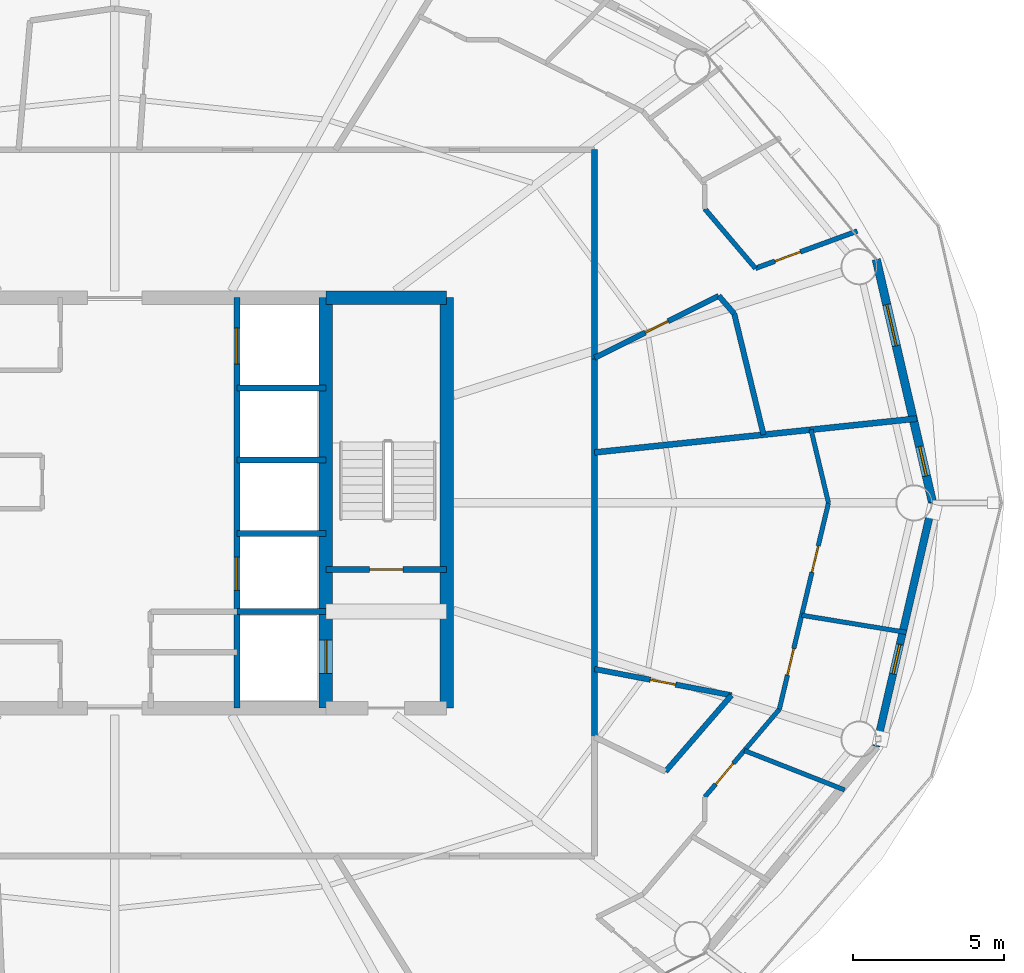
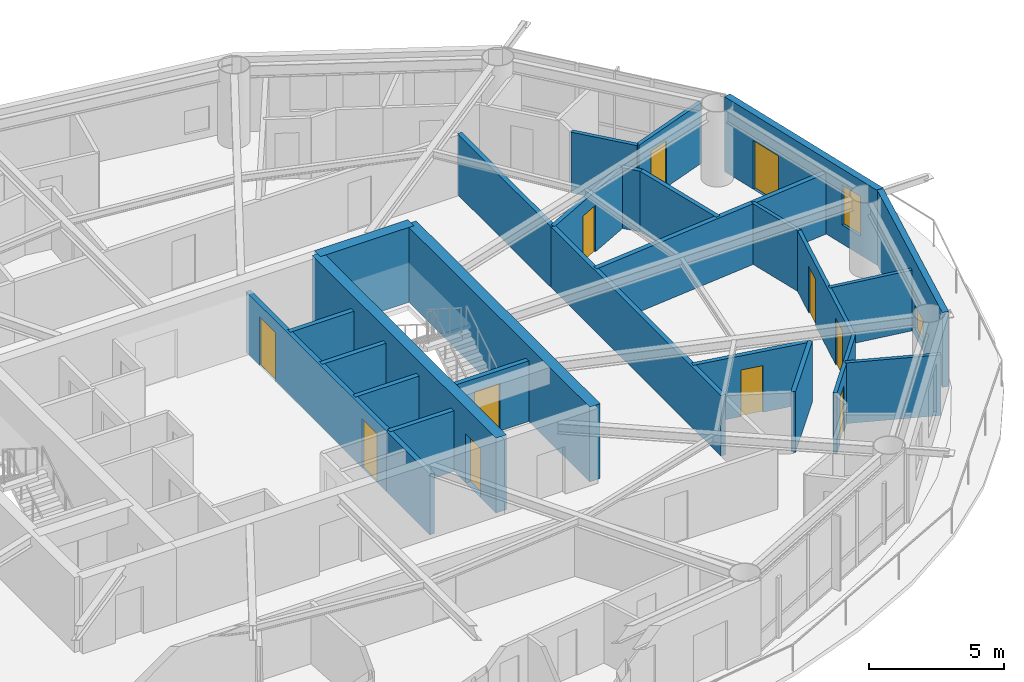
# One storey, part 22 of 27: 28 walls, 11 doors, 2 windows, 13 openings.
"""IFC4 building model written with IfcOpenShell, lengths in metres."""

import ifcopenshell
import ifcopenshell.guid

model = None  # the IFC model being written
_history = None  # IfcOwnerHistory: only IFC2X3 demands one
_inside = {}  # id of a spatial element -> (the spatial element, [elements in it])
_under = {}  # id of a project, library or spatial element -> (it, [spatial elements below it])
_declared = {}  # id of a project -> (the project, [libraries it declares])
_typed = {}  # id of a type object -> (the type object, [elements of that type])
_made_of = {}  # id of a material, layer set ... -> (it, [elements and type objects made of it])


def new_model(schema):
    """Start an empty IFC model of exactly this schema.

    Asked for "IFC4X3", IfcOpenShell would pick the latest addendum, in which some entities
    have other attributes; the version numbers below select the first issue.
    IFC2X3 requires an IfcOwnerHistory on every rooted entity: one is made here for all.
    """
    global model, _history
    if schema == "IFC4X3":
        model = ifcopenshell.file(schema_version=(4, 3, 0, 0))
    else:
        model = ifcopenshell.file(schema=schema)
    _inside.clear()
    _under.clear()
    _declared.clear()
    _typed.clear()
    _made_of.clear()
    _history = None
    if model.schema == "IFC2X3":
        org = make("IfcOrganization", Name="unknown")
        user = make(
            "IfcPersonAndOrganization",
            ThePerson=make("IfcPerson", FamilyName="unknown"),
            TheOrganization=org,
        )
        app = make(
            "IfcApplication",
            ApplicationDeveloper=org,
            Version="unknown",
            ApplicationFullName="unknown",
            ApplicationIdentifier="unknown",
        )
        _history = make(
            "IfcOwnerHistory",
            OwningUser=user,
            OwningApplication=app,
            ChangeAction="ADDED",
            CreationDate=0,
        )
    return model


def make(cls, **values):
    """One entity of the class cls with the attributes given. An attribute that is None is left unset."""
    return model.create_entity(
        cls, **{name: value for name, value in values.items() if value is not None}
    )


def rooted(cls, **values):
    """An entity with a GlobalId (a new one), such as an element, a storey or a relation."""
    return make(cls, GlobalId=ifcopenshell.guid.new(), OwnerHistory=_history, **values)


def si_unit(unit_type, name, prefix=None):
    """IfcSIUnit, for example si_unit("LENGTHUNIT", "METRE", prefix="MILLI")."""
    return make("IfcSIUnit", UnitType=unit_type, Prefix=prefix, Name=name)


def assignment(units):
    """IfcUnitAssignment: the units of a project."""
    return None if units is None else make("IfcUnitAssignment", Units=units)


def point(xyz):
    """IfcCartesianPoint."""
    return None if xyz is None else make("IfcCartesianPoint", Coordinates=xyz)


def direction(xyz):
    """IfcDirection."""
    return None if xyz is None else make("IfcDirection", DirectionRatios=xyz)


def frame(location, z_axis=None, x_axis=None):
    """IfcAxis2Placement3D, a coordinate frame: its origin and axes. An axis left out is left unset."""
    return make(
        "IfcAxis2Placement3D",
        Location=point(location),
        Axis=direction(z_axis),
        RefDirection=direction(x_axis),
    )


def frame_2d(location, x_axis=None):
    """IfcAxis2Placement2D, a coordinate frame in the plane: its origin and x axis."""
    return make(
        "IfcAxis2Placement2D", Location=point(location), RefDirection=direction(x_axis)
    )


def origin():
    """The frame at (0, 0, 0) with its axes left unset."""
    return frame((0.0, 0.0, 0.0))


def place(relative_to, where):
    """IfcLocalPlacement: puts the frame where relative to a parent placement (None: the world)."""
    return make(
        "IfcLocalPlacement", PlacementRelTo=relative_to, RelativePlacement=where
    )


def context(
    kind, dimensions, precision=None, world=None, true_north=None, identifier=None
):
    """IfcGeometricRepresentationContext, for example the 3D "Model" context."""
    return make(
        "IfcGeometricRepresentationContext",
        ContextIdentifier=identifier,
        ContextType=kind,
        CoordinateSpaceDimension=dimensions,
        Precision=precision,
        WorldCoordinateSystem=world,
        TrueNorth=true_north,
    )


def subcontext(parent, identifier, kind, view, scale=None):
    """IfcGeometricRepresentationSubContext, for example "Body" below "Model"."""
    return make(
        "IfcGeometricRepresentationSubContext",
        ContextIdentifier=identifier,
        ContextType=kind,
        ParentContext=parent,
        TargetScale=scale,
        TargetView=view,
    )


def project(units=None, contexts=None):
    """IfcProject with its units and contexts."""
    return rooted(
        "IfcProject",
        Name="project",
        RepresentationContexts=contexts,
        UnitsInContext=assignment(units),
    )


def spatial(cls, under=None, at=None, **own):
    """A site, building, storey or space (cls), placed at a placement, below another one or the project."""
    s = rooted(cls, ObjectPlacement=at, **own)
    if under is not None:
        _under.setdefault(under.id(), (under, []))[1].append(s)
    return s


def profile(cls, at=None, kind="AREA", **sizes):
    """A parametric profile (cls). Its sizes go by their IFC names, for example OverallWidth=200.0."""
    return make(cls, ProfileType=kind, Position=at, **sizes)


def rectangle(**sizes):
    """IfcRectangleProfileDef."""
    return profile("IfcRectangleProfileDef", **sizes)


def extrude(swept, where, along, depth):
    """IfcExtrudedAreaSolid: the profile swept, set in the frame where, extruded along a direction by depth."""
    return make(
        "IfcExtrudedAreaSolid",
        SweptArea=swept,
        Position=where,
        ExtrudedDirection=direction(along),
        Depth=depth,
    )


def shape(context_of_items, identifier, shape_type, items):
    """IfcShapeRepresentation: the items that make up one representation, for example the "Body"."""
    return make(
        "IfcShapeRepresentation",
        ContextOfItems=context_of_items,
        RepresentationIdentifier=identifier,
        RepresentationType=shape_type,
        Items=items,
    )


def material(Name=None, Category=None):
    """IfcMaterial."""
    return make("IfcMaterial", Name=Name, Category=Category)


def layer(
    of_material, thickness, ventilated=None, Name=None, Category=None, Priority=None
):
    """IfcMaterialLayer: one layer of a wall or slab, of a material (None: an air gap)."""
    return make(
        "IfcMaterialLayer",
        Material=of_material,
        LayerThickness=thickness,
        IsVentilated=ventilated,
        Name=Name,
        Category=Category,
        Priority=Priority,
    )


def layer_set(layers, Name=None):
    """IfcMaterialLayerSet."""
    return make("IfcMaterialLayerSet", MaterialLayers=layers, LayerSetName=Name)


def made_of(thing, what):
    """Note that an element or type object is made of a material, layer set ...; save() writes the relation."""
    if what is not None:
        _made_of.setdefault(what.id(), (what, []))[1].append(thing)
    return thing


def type_object(cls, material=None, **own):
    """A type object (cls), such as IfcWallType, which elements share."""
    return made_of(rooted(cls, **own), material)


def element(
    cls,
    number,
    at=None,
    inside=None,
    cuts=None,
    type_object=None,
    material=None,
    context=None,
    identifier="Body",
    shape_type=None,
    held_by="IfcProductDefinitionShape",
    body=None,
    shapes=None,
    **own,
):
    """One element of the class cls, such as IfcWall. Its Tag is "e" and its number.

    at: its placement. inside: the storey or other place that contains it. cuts: it is an
    opening in that element (IfcRelVoidsElement). A single representation is given by context,
    identifier, shape_type and body (its items); several are given by shapes. held_by: the class
    of the entity that holds the representations. save() writes the other relations.
    """
    e = rooted(cls, Tag="e%d" % number, ObjectPlacement=at, **own)
    if body is not None:
        shapes = [shape(context, identifier, shape_type, body)]
    if shapes is not None:
        e.Representation = make(held_by, Representations=shapes)
    if inside is not None:
        _inside.setdefault(inside.id(), (inside, []))[1].append(e)
    if cuts is not None:
        rooted(
            "IfcRelVoidsElement", RelatingBuildingElement=cuts, RelatedOpeningElement=e
        )
    if type_object is not None:
        _typed.setdefault(type_object.id(), (type_object, []))[1].append(e)
    return made_of(e, material)


def fill(opening, filler):
    """IfcRelFillsElement: the door or window that sits in an opening."""
    return rooted(
        "IfcRelFillsElement",
        RelatingOpeningElement=opening,
        RelatedBuildingElement=filler,
    )


def aggregate(whole, parts):
    """IfcRelAggregates: a whole, such as a stair, and the parts it consists of."""
    return rooted("IfcRelAggregates", RelatingObject=whole, RelatedObjects=parts)


def save(model, path):
    """Write the relations noted so far, then the file.

    IfcRelAggregates (storeys below a building ...), IfcRelContainedInSpatialStructure (elements
    in a storey), IfcRelDefinesByType, IfcRelAssociatesMaterial and IfcRelDeclares: one each for
    every whole, place, type object, material and project.
    """
    for whole, parts in _under.values():
        aggregate(whole, parts)
    for where, things in _inside.values():
        rooted(
            "IfcRelContainedInSpatialStructure",
            RelatedElements=things,
            RelatingStructure=where,
        )
    for kind, things in _typed.values():
        rooted("IfcRelDefinesByType", RelatedObjects=things, RelatingType=kind)
    for what, things in _made_of.values():
        rooted("IfcRelAssociatesMaterial", RelatedObjects=things, RelatingMaterial=what)
    for by, libraries in _declared.values():
        rooted("IfcRelDeclares", RelatingContext=by, RelatedDefinitions=libraries)
    model.write(path)


model = new_model("IFC4")

# Units and contexts
model_context = context("Model", 3, precision=1e-05, world=origin(), true_north=direction((0.0, 1.0)))
body_context = subcontext(model_context, "Body", "Model", "MODEL_VIEW")
ifc_project = project(units=[si_unit("LENGTHUNIT", "METRE"), si_unit("AREAUNIT", "SQUARE_METRE"), si_unit("VOLUMEUNIT", "CUBIC_METRE"), si_unit("PLANEANGLEUNIT", "RADIAN"), si_unit("MASSUNIT", "GRAM", prefix="KILO")], contexts=[model_context])

# Site, building, storey
site_placement = place(None, origin())
site = spatial("IfcSite", under=ifc_project, at=site_placement, CompositionType="ELEMENT")
building_placement = place(site_placement, origin())
building = spatial("IfcBuilding", under=site, at=building_placement, Name="Sarneth Arch Tower", CompositionType="ELEMENT")
storey_placement = place(building_placement, frame((0.0, 0.0, 193.800048828125)))
storey = spatial("IfcBuildingStorey", under=building, at=storey_placement, Name="L49", CompositionType="ELEMENT", Elevation=193.800048828125)

# Walls
ifc_material_1 = material(Name="Concrete C50/60", Category="concrete")
ifc_layer_1 = layer(ifc_material_1, 0.449951171875)
ifc_layer_set_1 = layer_set([ifc_layer_1], Name="Concrete C50/60")
wall_type_1 = type_object("IfcWallType", Name="WALL-CORE-450", PredefinedType="SHEAR", material=ifc_layer_set_1)
wall_1_placement = place(storey_placement, frame((55.0, 48.800048828125, 0.0), z_axis=(0.0, 0.0, 1.0), x_axis=(1.0, 0.0, 0.0)))
element("IfcWall", 1, at=wall_1_placement, inside=storey, type_object=wall_type_1, Name="L49 Core shear wall N-E", PredefinedType="SHEAR", context=body_context, shape_type="SweptSolid", body=[
    extrude(rectangle(XDim=4.0, YDim=0.449951171875, at=frame_2d((2.0, 0.0))), origin(), (0.0, 0.0, 1.0), 3.3798828125),
])
wall_2_placement = place(storey_placement, frame((59.0, 35.199951171875, 0.0), z_axis=(0.0, 0.0, 1.0), x_axis=(0.0, 1.0, 0.0)))
element("IfcWall", 2, at=wall_2_placement, inside=storey, type_object=wall_type_1, Name="L49 Core shear wall E", PredefinedType="SHEAR", context=body_context, shape_type="SweptSolid", body=[
    extrude(rectangle(XDim=13.60009765625, YDim=0.449951171875, at=frame_2d((6.800048828125, 0.0))), origin(), (0.0, 0.0, 1.0), 3.3798828125),
])

# Wall, opening, door
wall_3_placement = place(storey_placement, frame((55.0, 35.199951171875, 0.0), z_axis=(0.0, 0.0, 1.0), x_axis=(0.0, 1.0, 0.0)))
wall_3 = element("IfcWall", 3, at=wall_3_placement, inside=storey, type_object=wall_type_1, Name="L49 Core shear wall WEB-E", PredefinedType="SHEAR", context=body_context, shape_type="SweptSolid", body=[
    extrude(rectangle(XDim=13.60009765625, YDim=0.449951171875, at=frame_2d((6.800048828125, 0.0))), origin(), (0.0, 0.0, 1.0), 3.3798828125),
])
opening_1_placement = place(wall_3_placement, frame((1.14990234375, 0.0, 0.0)))
opening_1 = element("IfcOpeningElement", 4, at=opening_1_placement, cuts=wall_3, Name="Opening LD-1", PredefinedType="OPENING", context=body_context, shape_type="SweptSolid", body=[
    extrude(rectangle(XDim=1.10009765625, YDim=2.199951171875, at=frame_2d((0.550048828125, 1.10009765625))), frame((0.0, 0.23486328125, 0.0), z_axis=(0.0, -1.0, 0.0), x_axis=(1.0, 0.0, 0.0)), (0.0, 0.0, 1.0), 0.469970703125),
])
ifc_material_2 = material(Name="Brushed Stainless Steel 304 lift landing door", Category="steel")
door_type_1 = type_object("IfcDoorType", Name="DR-LIFT-SLIDE-1100", OperationType="SLIDING_TO_LEFT", PredefinedType="DOOR", material=ifc_material_2)
door_1_placement = place(opening_1_placement, origin())
door_1 = element("IfcDoor", 5, at=door_1_placement, inside=storey, type_object=door_type_1, Name="L49 Firefighting lift landing door FL-2", OperationType="SLIDING_TO_RIGHT", OverallHeight=2.199951171875, OverallWidth=1.10009765625, PredefinedType="DOOR", context=body_context, shape_type="SweptSolid", body=[
    extrude(rectangle(XDim=1.10009765625, YDim=2.199951171875, at=frame_2d((0.550048828125, 1.10009765625))), frame((0.0, 0.02490234375, 0.0), z_axis=(0.0, -1.0, 0.0), x_axis=(1.0, 0.0, 0.0)), (0.0, 0.0, 1.0), 0.050048828125),
])
fill(opening_1, door_1)

# Walls
ifc_material_3 = material(Name="Double steel-stud corridor fire wall", Category="steel")
ifc_layer_2 = layer(ifc_material_3, 0.18994140625)
ifc_layer_set_2 = layer_set([ifc_layer_2], Name="Double steel-stud corridor fire wall")
wall_type_2 = type_object("IfcWallType", Name="WALL-CORR-190", PredefinedType="PARTITIONING", material=ifc_layer_set_2)
wall_4_placement = place(storey_placement, frame((63.89990234375, 46.841064453125, 0.0), z_axis=(0.0, 0.0, 1.0), x_axis=(0.0, -1.0, 0.0)))
element("IfcWall", 6, at=wall_4_placement, inside=storey, type_object=wall_type_2, Name="L49 Interior partition W-L49-TP-018", PredefinedType="PARTITIONING", context=body_context, shape_type="SweptSolid", body=[
    extrude(rectangle(XDim=12.631591796875, YDim=0.18994140625, at=frame_2d((6.31591796875, 0.0))), origin(), (0.0, 0.0, 1.0), 2.739990234375),
])
wall_5_placement = place(storey_placement, frame((63.89990234375, 53.699951171875, 0.0), z_axis=(0.0, 0.0, 1.0), x_axis=(0.0, -1.0, 0.0)))
element("IfcWall", 7, at=wall_5_placement, inside=storey, type_object=wall_type_2, Name="L49 Interior partition W-L49-TP-002", PredefinedType="PARTITIONING", context=body_context, shape_type="SweptSolid", body=[
    extrude(rectangle(XDim=6.9306640625, YDim=0.18994140625, at=frame_2d((3.46533203125, 0.0))), origin(), (0.0, 0.0, 1.0), 2.739990234375),
])

# Wall, opening, window
ifc_material_4 = material(Name="Extruded terracotta rainscreen on Concrete C40/50 backing", Category="masonry")
ifc_layer_3 = layer(ifc_material_4, 0.25)
ifc_layer_set_3 = layer_set([ifc_layer_3], Name="Extruded terracotta rainscreen on Concrete C40/50 backing")
wall_type_3 = type_object("IfcWallType", Name="WALL-EXT-SPAND-250", PredefinedType="SOLIDWALL", material=ifc_layer_set_3)
wall_6_placement = place(storey_placement, frame((73.232421875, 33.93310546875, 0.0), z_axis=(0.0, 0.0, 1.0), x_axis=(0.225473184558, 0.974249374157, 0.0)))
wall_6 = element("IfcWall", 8, at=wall_6_placement, inside=storey, type_object=wall_type_3, Name="L49 Terracotta perimeter wall 16", PredefinedType="SOLIDWALL", context=body_context, shape_type="SweptSolid", body=[
    extrude(rectangle(XDim=8.280029296875, YDim=0.25, at=frame_2d((4.14013671875, 0.0))), origin(), (0.0, 0.0, 1.0), 3.3798828125),
])
opening_2_placement = place(wall_6_placement, frame((2.468505859375, 0.0, 0.35009765625)))
opening_2 = element("IfcOpeningElement", 9, at=opening_2_placement, cuts=wall_6, Name="Opening W-14", PredefinedType="OPENING", context=body_context, shape_type="SweptSolid", body=[
    extrude(rectangle(XDim=1.0, YDim=1.050048828125, at=frame_2d((0.5, 0.52490234375))), frame((0.0, 0.135009765625, 0.0), z_axis=(0.0, -1.0, 0.0), x_axis=(1.0, 0.0, 0.0)), (0.0, 0.0, 1.0), 0.27001953125),
])
ifc_material_5 = material(Name="Thermally broken Aluminium 6063-T6 and low-e laminated IGU", Category="aluminium")
window_type_1 = type_object("IfcWindowType", Name="WIN-TWR-1000x1050", PartitioningType="SINGLE_PANEL", PredefinedType="WINDOW", material=ifc_material_5)
window_1_placement = place(opening_2_placement, origin())
window_1 = element("IfcWindow", 10, at=window_1_placement, inside=storey, type_object=window_type_1, Name="L49 Dwelling bedroom window 05", OverallHeight=1.050048828125, OverallWidth=1.0, PartitioningType="SINGLE_PANEL", PredefinedType="WINDOW", context=body_context, shape_type="SweptSolid", body=[
    extrude(rectangle(XDim=1.0, YDim=1.050048828125, at=frame_2d((0.5, 0.52490234375))), frame((0.0, 0.030029296875, 0.0), z_axis=(0.0, -1.0, 0.0), x_axis=(1.0, 0.0, 0.0)), (0.0, 0.0, 1.0), 0.06005859375),
])
fill(opening_2, window_1)

# Wall, openings, door, window
ifc_material_6 = material(Name="Extruded terracotta rainscreen on Concrete C40/50 backing", Category="masonry")
ifc_layer_4 = layer(ifc_material_6, 0.280029296875)
ifc_layer_set_4 = layer_set([ifc_layer_4], Name="Extruded terracotta rainscreen on Concrete C40/50 backing")
wall_type_4 = type_object("IfcWallType", Name="WALL-EXT-TERRA-280", PredefinedType="SOLIDWALL", material=ifc_layer_set_4)
wall_7_placement = place(storey_placement, frame((75.099365234375, 42.0, 0.0), z_axis=(0.0, 0.0, 1.0), x_axis=(-0.225473184558, 0.974249374157, 0.0)))
wall_7 = element("IfcWall", 11, at=wall_7_placement, inside=storey, type_object=wall_type_4, Name="L49 Terracotta perimeter wall 01", PredefinedType="SOLIDWALL", context=body_context, shape_type="SweptSolid", body=[
    extrude(rectangle(XDim=8.280029296875, YDim=0.280029296875, at=frame_2d((4.14013671875, 0.0))), origin(), (0.0, 0.0, 1.0), 3.3798828125),
])
opening_3_placement = place(wall_7_placement, frame((5.343994140625, 0.0, 0.0)))
opening_3 = element("IfcOpeningElement", 12, at=opening_3_placement, cuts=wall_7, Name="Opening BD-2", PredefinedType="OPENING", context=body_context, shape_type="SweptSolid", body=[
    extrude(rectangle(XDim=1.39990234375, YDim=2.199951171875, at=frame_2d((0.699951171875, 1.10009765625))), frame((0.0, 0.14990234375, 0.0), z_axis=(0.0, -1.0, 0.0), x_axis=(1.0, 0.0, 0.0)), (0.0, 0.0, 1.0), 0.300048828125),
])
opening_4_placement = place(wall_7_placement, frame((0.918212890625, 0.0, 0.85009765625)))
opening_4 = element("IfcOpeningElement", 13, at=opening_4_placement, cuts=wall_7, Name="Opening W-11", PredefinedType="OPENING", context=body_context, shape_type="SweptSolid", body=[
    extrude(rectangle(XDim=1.0, YDim=1.800048828125, at=frame_2d((0.5, 0.89990234375))), frame((0.0, 0.14990234375, 0.0), z_axis=(0.0, -1.0, 0.0), x_axis=(1.0, 0.0, 0.0)), (0.0, 0.0, 1.0), 0.300048828125),
])
ifc_material_7 = material(Name="Thermally broken Aluminium 6063-T6 and laminated safety glass", Category="aluminium")
door_type_2 = type_object("IfcDoorType", Name="DR-BALC-GLZ-1400", OperationType="SINGLE_SWING_LEFT", PredefinedType="DOOR", material=ifc_material_7)
door_2_placement = place(opening_3_placement, origin())
door_2 = element("IfcDoor", 14, at=door_2_placement, inside=storey, type_object=door_type_2, Name="L49 Balcony glazed door 01", OperationType="SINGLE_SWING_LEFT", OverallHeight=2.199951171875, OverallWidth=1.39990234375, PredefinedType="DOOR", context=body_context, shape_type="SweptSolid", body=[
    extrude(rectangle(XDim=1.39990234375, YDim=2.199951171875, at=frame_2d((0.699951171875, 1.10009765625))), frame((0.0, 0.02490234375, 0.0), z_axis=(0.0, -1.0, 0.0), x_axis=(1.0, 0.0, 0.0)), (0.0, 0.0, 1.0), 0.050048828125),
])
fill(opening_3, door_2)
ifc_material_8 = material(Name="Thermally broken Aluminium 6063-T6 and low-e laminated IGU", Category="aluminium")
window_type_2 = type_object("IfcWindowType", Name="WIN-TWR-1000x1800", PartitioningType="SINGLE_PANEL", PredefinedType="WINDOW", material=ifc_material_8)
window_2_placement = place(opening_4_placement, origin())
window_2 = element("IfcWindow", 15, at=window_2_placement, inside=storey, type_object=window_type_2, Name="L49 Dwelling bedroom window 06", OverallHeight=1.800048828125, OverallWidth=1.0, PartitioningType="SINGLE_PANEL", PredefinedType="WINDOW", context=body_context, shape_type="SweptSolid", body=[
    extrude(rectangle(XDim=1.0, YDim=1.800048828125, at=frame_2d((0.5, 0.89990234375))), frame((0.0, 0.030029296875, 0.0), z_axis=(0.0, -1.0, 0.0), x_axis=(1.0, 0.0, 0.0)), (0.0, 0.0, 1.0), 0.06005859375),
])
fill(opening_4, window_2)

# Wall, openings, doors
ifc_material_9 = material(Name="Acoustic gypsum stud partition", Category="gypsum")
ifc_layer_5 = layer(ifc_material_9, 0.14990234375)
ifc_layer_set_5 = layer_set([ifc_layer_5], Name="Acoustic gypsum stud partition")
wall_type_5 = type_object("IfcWallType", Name="WALL-PART-150", PredefinedType="PARTITIONING", material=ifc_layer_set_5)
wall_8_placement = place(storey_placement, frame((70.019287109375, 35.15771484375, 0.0), z_axis=(0.0, 0.0, 1.0), x_axis=(0.231658068135, 0.972797275627, 0.0)))
wall_8 = element("IfcWall", 16, at=wall_8_placement, inside=storey, type_object=wall_type_5, Name="L49 Interior partition W-L49-TP-119", PredefinedType="PARTITIONING", context=body_context, shape_type="SweptSolid", body=[
    extrude(rectangle(XDim=7.03369140625, YDim=0.14990234375, at=frame_2d((3.516845703125, 0.0))), origin(), (0.0, 0.0, 1.0), 2.739990234375),
])
opening_5_placement = place(wall_8_placement, frame((4.67041015625, 0.0, 0.0)))
opening_5 = element("IfcOpeningElement", 17, at=opening_5_placement, cuts=wall_8, Name="Opening ID-01", PredefinedType="OPENING", context=body_context, shape_type="SweptSolid", body=[
    extrude(rectangle(XDim=0.89990234375, YDim=2.10009765625, at=frame_2d((0.449951171875, 1.050048828125))), frame((0.0, 0.0849609375, 0.0), z_axis=(0.0, -1.0, 0.0), x_axis=(1.0, 0.0, 0.0)), (0.0, 0.0, 1.0), 0.169921875),
])
opening_6_placement = place(wall_8_placement, frame((1.169677734375, 0.0, 0.0)))
opening_6 = element("IfcOpeningElement", 18, at=opening_6_placement, cuts=wall_8, Name="Opening ID-01", PredefinedType="OPENING", context=body_context, shape_type="SweptSolid", body=[
    extrude(rectangle(XDim=0.89990234375, YDim=2.10009765625, at=frame_2d((0.449951171875, 1.050048828125))), frame((0.0, 0.0849609375, 0.0), z_axis=(0.0, -1.0, 0.0), x_axis=(1.0, 0.0, 0.0)), (0.0, 0.0, 1.0), 0.169921875),
])
ifc_material_10 = material(Name="Engineered hardwood flush door", Category="wood")
door_type_3 = type_object("IfcDoorType", Name="DR-INT-900", OperationType="SINGLE_SWING_LEFT", PredefinedType="DOOR", material=ifc_material_10)
door_3_placement = place(opening_5_placement, origin())
door_3 = element("IfcDoor", 19, at=door_3_placement, inside=storey, type_object=door_type_3, Name="L49 Interior door DR-L49-U6-BED2", OperationType="SINGLE_SWING_LEFT", OverallHeight=2.10009765625, OverallWidth=0.89990234375, PredefinedType="DOOR", context=body_context, shape_type="SweptSolid", body=[
    extrude(rectangle(XDim=0.89990234375, YDim=2.10009765625, at=frame_2d((0.449951171875, 1.050048828125))), frame((0.0, 0.02490234375, 0.0), z_axis=(0.0, -1.0, 0.0), x_axis=(1.0, 0.0, 0.0)), (0.0, 0.0, 1.0), 0.050048828125),
])
fill(opening_5, door_3)
door_4_placement = place(opening_6_placement, origin())
door_4 = element("IfcDoor", 20, at=door_4_placement, inside=storey, type_object=door_type_3, Name="L49 Interior door DR-L49-U6-BED1", OperationType="SINGLE_SWING_LEFT", OverallHeight=2.10009765625, OverallWidth=0.89990234375, PredefinedType="DOOR", context=body_context, shape_type="SweptSolid", body=[
    extrude(rectangle(XDim=0.89990234375, YDim=2.10009765625, at=frame_2d((0.449951171875, 1.050048828125))), frame((0.0, 0.02490234375, 0.0), z_axis=(0.0, -1.0, 0.0), x_axis=(1.0, 0.0, 0.0)), (0.0, 0.0, 1.0), 0.050048828125),
])
fill(opening_6, door_4)

# Walls
wall_9_placement = place(storey_placement, frame((72.186279296875, 32.489501953125, 0.0), z_axis=(0.0, 0.0, 1.0), x_axis=(-0.930633495056, 0.365952589662, 0.0)))
element("IfcWall", 21, at=wall_9_placement, inside=storey, type_object=wall_type_5, Name="L49 Interior partition W-L49-TP-122", PredefinedType="PARTITIONING", context=body_context, shape_type="SweptSolid", body=[
    extrude(rectangle(XDim=3.572509765625, YDim=0.14990234375, at=frame_2d((1.7861328125, 0.0))), origin(), (0.0, 0.0, 1.0), 2.739990234375),
])
wall_10_placement = place(storey_placement, frame((74.2294921875, 37.710693359375, 0.0), z_axis=(0.0, 0.0, 1.0), x_axis=(-0.98689451092, 0.161366738565, 0.0)))
element("IfcWall", 22, at=wall_10_placement, inside=storey, type_object=wall_type_5, Name="L49 Interior partition W-L49-TP-123", PredefinedType="PARTITIONING", context=body_context, shape_type="SweptSolid", body=[
    extrude(rectangle(XDim=3.51318359375, YDim=0.14990234375, at=frame_2d((1.756591796875, 0.0))), origin(), (0.0, 0.0, 1.0), 2.739990234375),
])
wall_11_placement = place(storey_placement, frame((71.648681640625, 42.0, 0.0), z_axis=(0.0, 0.0, 1.0), x_axis=(-0.231642596653, 0.972800959814, 0.0)))
element("IfcWall", 23, at=wall_11_placement, inside=storey, type_object=wall_type_5, Name="L49 Interior partition W-L49-TP-120", PredefinedType="PARTITIONING", context=body_context, shape_type="SweptSolid", body=[
    extrude(rectangle(XDim=2.49267578125, YDim=0.14990234375, at=frame_2d((1.246337890625, 0.0))), origin(), (0.0, 0.0, 1.0), 2.739990234375),
])

# Wall, opening, door
wall_12_placement = place(storey_placement, frame((67.550048828125, 32.255615234375, 0.0), z_axis=(0.0, 0.0, 1.0), x_axis=(0.648059335437, 0.761589848773, 0.0)))
wall_12 = element("IfcWall", 24, at=wall_12_placement, inside=storey, type_object=wall_type_5, Name="L49 Interior partition W-L49-TP-110", PredefinedType="PARTITIONING", context=body_context, shape_type="SweptSolid", body=[
    extrude(rectangle(XDim=3.810546875, YDim=0.14990234375, at=frame_2d((1.9052734375, 0.0))), origin(), (0.0, 0.0, 1.0), 2.739990234375),
])
opening_7_placement = place(wall_12_placement, frame((0.56201171875, 0.0, 0.0)))
opening_7 = element("IfcOpeningElement", 25, at=opening_7_placement, cuts=wall_12, Name="Opening ID-01", PredefinedType="OPENING", context=body_context, shape_type="SweptSolid", body=[
    extrude(rectangle(XDim=0.89990234375, YDim=2.10009765625, at=frame_2d((0.449951171875, 1.050048828125))), frame((0.0, 0.0849609375, 0.0), z_axis=(0.0, -1.0, 0.0), x_axis=(1.0, 0.0, 0.0)), (0.0, 0.0, 1.0), 0.169921875),
])
door_5_placement = place(opening_7_placement, origin())
door_5 = element("IfcDoor", 26, at=door_5_placement, inside=storey, type_object=door_type_3, Name="L49 Interior door DR-L49-U6-STD", OperationType="SINGLE_SWING_RIGHT", OverallHeight=2.10009765625, OverallWidth=0.89990234375, PredefinedType="DOOR", context=body_context, shape_type="SweptSolid", body=[
    extrude(rectangle(XDim=0.89990234375, YDim=2.10009765625, at=frame_2d((0.449951171875, 1.050048828125))), frame((0.0, 0.02490234375, 0.0), z_axis=(0.0, -1.0, 0.0), x_axis=(1.0, 0.0, 0.0)), (0.0, 0.0, 1.0), 0.050048828125),
])
fill(opening_7, door_5)

ifc_material_11 = material(Name="Kitchen wet service chase wall", Category="gypsum")
ifc_layer_6 = layer(ifc_material_11, 0.159912109375)
ifc_layer_set_6 = layer_set([ifc_layer_6], Name="Kitchen wet service chase wall")
wall_type_6 = type_object("IfcWallType", Name="WALL-PLUMB-160", PredefinedType="PLUMBINGWALL", material=ifc_layer_set_6)
wall_13_placement = place(storey_placement, frame((72.6025390625, 51.005859375, 0.0), z_axis=(0.0, 0.0, 1.0), x_axis=(-0.939057046145, -0.343761347572, 0.0)))
wall_13 = element("IfcWall", 27, at=wall_13_placement, inside=storey, type_object=wall_type_6, Name="L49 Interior partition W-L49-TP-020", PredefinedType="PLUMBINGWALL", context=body_context, shape_type="SweptSolid", body=[
    extrude(rectangle(XDim=3.59228515625, YDim=0.159912109375, at=frame_2d((1.796142578125, 0.0))), origin(), (0.0, 0.0, 1.0), 2.739990234375),
])
opening_8_placement = place(wall_13_placement, frame((2.006103515625, 0.0, 0.0)))
opening_8 = element("IfcOpeningElement", 28, at=opening_8_placement, cuts=wall_13, Name="Opening ID-01", PredefinedType="OPENING", context=body_context, shape_type="SweptSolid", body=[
    extrude(rectangle(XDim=0.89990234375, YDim=2.10009765625, at=frame_2d((0.449951171875, 1.050048828125))), frame((0.0, 0.08984375, 0.0), z_axis=(0.0, -1.0, 0.0), x_axis=(1.0, 0.0, 0.0)), (0.0, 0.0, 1.0), 0.179931640625),
])
door_6_placement = place(opening_8_placement, origin())
door_6 = element("IfcDoor", 29, at=door_6_placement, inside=storey, type_object=door_type_3, Name="L49 Interior door DR-L49-U1-KIT", OperationType="SINGLE_SWING_RIGHT", OverallHeight=2.10009765625, OverallWidth=0.89990234375, PredefinedType="DOOR", context=body_context, shape_type="SweptSolid", body=[
    extrude(rectangle(XDim=0.89990234375, YDim=2.10009765625, at=frame_2d((0.449951171875, 1.050048828125))), frame((0.0, 0.02490234375, 0.0), z_axis=(0.0, -1.0, 0.0), x_axis=(1.0, 0.0, 0.0)), (0.0, 0.0, 1.0), 0.050048828125),
])
fill(opening_8, door_6)

# Wall
wall_14_placement = place(storey_placement, frame((69.229248046875, 49.77099609375, 0.0), z_axis=(0.0, 0.0, 1.0), x_axis=(-0.648055845939, 0.761592818076, 0.0)))
element("IfcWall", 30, at=wall_14_placement, inside=storey, type_object=wall_type_6, Name="L49 Interior partition W-L49-TP-021", PredefinedType="PLUMBINGWALL", context=body_context, shape_type="SweptSolid", body=[
    extrude(rectangle(XDim=2.591064453125, YDim=0.159912109375, at=frame_2d((1.29541015625, 0.0))), origin(), (0.0, 0.0, 1.0), 2.739990234375),
])

# Wall, opening, door
ifc_material_12 = material(Name="Moisture-resistant plumbing chase wall", Category="gypsum")
ifc_layer_7 = layer(ifc_material_12, 0.179931640625)
ifc_layer_set_7 = layer_set([ifc_layer_7], Name="Moisture-resistant plumbing chase wall")
wall_type_7 = type_object("IfcWallType", Name="WALL-PLUMB-180", PredefinedType="PLUMBINGWALL", material=ifc_layer_set_7)
wall_15_placement = place(storey_placement, frame((68.434814453125, 35.626220703125, 0.0), z_axis=(0.0, 0.0, 1.0), x_axis=(-0.982105494501, 0.188331616227, 0.0)))
wall_15 = element("IfcWall", 31, at=wall_15_placement, inside=storey, type_object=wall_type_7, Name="L49 Interior partition W-L49-TP-116", PredefinedType="PLUMBINGWALL", context=body_context, shape_type="SweptSolid", body=[
    extrude(rectangle(XDim=4.617431640625, YDim=0.179931640625, at=frame_2d((2.30859375, 0.0))), origin(), (0.0, 0.0, 1.0), 2.739990234375),
])
opening_9_placement = place(wall_15_placement, frame((1.8837890625, 0.0, 0.0)))
opening_9 = element("IfcOpeningElement", 32, at=opening_9_placement, cuts=wall_15, Name="Opening ID-02", PredefinedType="OPENING", context=body_context, shape_type="SweptSolid", body=[
    extrude(rectangle(XDim=0.85009765625, YDim=2.10009765625, at=frame_2d((0.425048828125, 1.050048828125))), frame((0.0, 0.099853515625, 0.0), z_axis=(0.0, -1.0, 0.0), x_axis=(1.0, 0.0, 0.0)), (0.0, 0.0, 1.0), 0.199951171875),
])
ifc_material_13 = material(Name="Moisture-resistant bathroom timber door", Category="wood")
door_type_4 = type_object("IfcDoorType", Name="DR-INT-850", OperationType="SINGLE_SWING_RIGHT", PredefinedType="DOOR", material=ifc_material_13)
door_7_placement = place(opening_9_placement, origin())
door_7 = element("IfcDoor", 33, at=door_7_placement, inside=storey, type_object=door_type_4, Name="L49 Interior door DR-L49-U6-BATH", OperationType="SINGLE_SWING_RIGHT", OverallHeight=2.10009765625, OverallWidth=0.85009765625, PredefinedType="DOOR", context=body_context, shape_type="SweptSolid", body=[
    extrude(rectangle(XDim=0.85009765625, YDim=2.10009765625, at=frame_2d((0.425048828125, 1.050048828125))), frame((0.0, 0.02490234375, 0.0), z_axis=(0.0, -1.0, 0.0), x_axis=(1.0, 0.0, 0.0)), (0.0, 0.0, 1.0), 0.050048828125),
])
fill(opening_9, door_7)

wall_16_placement = place(storey_placement, frame((68.015625, 48.85791015625, 0.0), z_axis=(0.0, 0.0, 1.0), x_axis=(-0.894872643331, -0.446321579377, 0.0)))
wall_16 = element("IfcWall", 34, at=wall_16_placement, inside=storey, type_object=wall_type_7, Name="L49 Interior partition W-L49-TP-026", PredefinedType="PLUMBINGWALL", context=body_context, shape_type="SweptSolid", body=[
    extrude(rectangle(XDim=4.59912109375, YDim=0.179931640625, at=frame_2d((2.299560546875, 0.0))), origin(), (0.0, 0.0, 1.0), 2.739990234375),
])
opening_10_placement = place(wall_16_placement, frame((1.87451171875, 0.0, 0.0)))
opening_10 = element("IfcOpeningElement", 35, at=opening_10_placement, cuts=wall_16, Name="Opening ID-02", PredefinedType="OPENING", context=body_context, shape_type="SweptSolid", body=[
    extrude(rectangle(XDim=0.85009765625, YDim=2.10009765625, at=frame_2d((0.425048828125, 1.050048828125))), frame((0.0, 0.099853515625, 0.0), z_axis=(0.0, -1.0, 0.0), x_axis=(1.0, 0.0, 0.0)), (0.0, 0.0, 1.0), 0.199951171875),
])
door_8_placement = place(opening_10_placement, origin())
door_8 = element("IfcDoor", 36, at=door_8_placement, inside=storey, type_object=door_type_4, Name="L49 Interior door DR-L49-U1-BATH", OperationType="SINGLE_SWING_RIGHT", OverallHeight=2.10009765625, OverallWidth=0.85009765625, PredefinedType="DOOR", context=body_context, shape_type="SweptSolid", body=[
    extrude(rectangle(XDim=0.85009765625, YDim=2.10009765625, at=frame_2d((0.425048828125, 1.050048828125))), frame((0.0, 0.02490234375, 0.0), z_axis=(0.0, -1.0, 0.0), x_axis=(1.0, 0.0, 0.0)), (0.0, 0.0, 1.0), 0.050048828125),
])
fill(opening_10, door_8)

# Walls
wall_17_placement = place(storey_placement, frame((69.49755859375, 44.259521484375, 0.0), z_axis=(0.0, 0.0, 1.0), x_axis=(-0.235510241151, 0.97187186723, 0.0)))
element("IfcWall", 37, at=wall_17_placement, inside=storey, type_object=wall_type_7, Name="L49 Interior partition W-L49-TP-024", PredefinedType="PLUMBINGWALL", context=body_context, shape_type="SweptSolid", body=[
    extrude(rectangle(XDim=4.124755859375, YDim=0.179931640625, at=frame_2d((2.0625, 0.0))), origin(), (0.0, 0.0, 1.0), 2.739990234375),
])
wall_18_placement = place(storey_placement, frame((66.24755859375, 33.10009765625, 0.0), z_axis=(0.0, 0.0, 1.0), x_axis=(0.654579983518, 0.755992754712, 0.0)))
element("IfcWall", 38, at=wall_18_placement, inside=storey, type_object=wall_type_7, Name="L49 Interior partition W-L49-TP-115", PredefinedType="PLUMBINGWALL", context=body_context, shape_type="SweptSolid", body=[
    extrude(rectangle(XDim=3.341552734375, YDim=0.179931640625, at=frame_2d((1.6708984375, 0.0))), origin(), (0.0, 0.0, 1.0), 2.739990234375),
])
wall_19_placement = place(storey_placement, frame((68.526123046875, 48.268310546875, 0.0), z_axis=(0.0, 0.0, 1.0), x_axis=(-0.654572928685, 0.755998863116, 0.0)))
element("IfcWall", 39, at=wall_19_placement, inside=storey, type_object=wall_type_7, Name="L49 Interior partition W-L49-TP-025", PredefinedType="PLUMBINGWALL", context=body_context, shape_type="SweptSolid", body=[
    extrude(rectangle(XDim=0.77978515625, YDim=0.179931640625, at=frame_2d((0.389892578125, 0.0))), origin(), (0.0, 0.0, 1.0), 2.739990234375),
])

# Wall, opening, door
ifc_material_14 = material(Name="Aerated concrete blockwork C25/30", Category="masonry")
ifc_layer_8 = layer(ifc_material_14, 0.199951171875)
ifc_layer_set_8 = layer_set([ifc_layer_8], Name="Aerated concrete blockwork C25/30")
wall_type_8 = type_object("IfcWallType", Name="WALL-SHAFT-200", PredefinedType="SOLIDWALL", material=ifc_layer_set_8)
wall_20_placement = place(storey_placement, frame((55.0, 39.800048828125, 0.0), z_axis=(0.0, 0.0, 1.0), x_axis=(1.0, 0.0, 0.0)))
wall_20 = element("IfcWall", 40, at=wall_20_placement, inside=storey, type_object=wall_type_8, Name="L49 Interior partition W-L49-ST2-S", PredefinedType="SOLIDWALL", context=body_context, shape_type="SweptSolid", body=[
    extrude(rectangle(XDim=4.0, YDim=0.199951171875, at=frame_2d((2.0, 0.0))), origin(), (0.0, 0.0, 1.0), 2.739990234375),
])
opening_11_placement = place(wall_20_placement, frame((1.449951171875, 0.0, 0.0)))
opening_11 = element("IfcOpeningElement", 41, at=opening_11_placement, cuts=wall_20, Name="Opening FD-03", PredefinedType="OPENING", context=body_context, shape_type="SweptSolid", body=[
    extrude(rectangle(XDim=1.10009765625, YDim=2.14990234375, at=frame_2d((0.550048828125, 1.074951171875))), frame((0.0, 0.10986328125, 0.0), z_axis=(0.0, -1.0, 0.0), x_axis=(1.0, 0.0, 0.0)), (0.0, 0.0, 1.0), 0.219970703125),
])
ifc_material_15 = material(Name="Galvanised Steel S275 fire door set", Category="steel")
door_type_5 = type_object("IfcDoorType", Name="DR-FD90-1100", OperationType="SINGLE_SWING_LEFT", PredefinedType="DOOR", material=ifc_material_15)
door_9_placement = place(opening_11_placement, origin())
door_9 = element("IfcDoor", 42, at=door_9_placement, inside=storey, type_object=door_type_5, Name="L49 Interior door DR-L49-ST2", OperationType="SINGLE_SWING_RIGHT", OverallHeight=2.14990234375, OverallWidth=1.10009765625, PredefinedType="DOOR", context=body_context, shape_type="SweptSolid", body=[
    extrude(rectangle(XDim=1.10009765625, YDim=2.14990234375, at=frame_2d((0.550048828125, 1.074951171875))), frame((0.0, 0.02490234375, 0.0), z_axis=(0.0, -1.0, 0.0), x_axis=(1.0, 0.0, 0.0)), (0.0, 0.0, 1.0), 0.050048828125),
])
fill(opening_11, door_9)

# Walls
wall_21_placement = place(storey_placement, frame((52.050048828125, 35.199951171875, 0.0), z_axis=(0.0, 0.0, 1.0), x_axis=(0.0, 1.0, 0.0)))
element("IfcWall", 43, at=wall_21_placement, inside=storey, type_object=wall_type_8, Name="L49 Interior partition W-L49-FL2-W", PredefinedType="SOLIDWALL", context=body_context, shape_type="SweptSolid", body=[
    extrude(rectangle(XDim=3.199951171875, YDim=0.199951171875, at=frame_2d((1.60009765625, 0.0))), origin(), (0.0, 0.0, 1.0), 2.739990234375),
])
wall_22_placement = place(storey_placement, frame((52.050048828125, 38.39990234375, 0.0), z_axis=(0.0, 0.0, 1.0), x_axis=(1.0, 0.0, 0.0)))
element("IfcWall", 44, at=wall_22_placement, inside=storey, type_object=wall_type_8, Name="L49 Interior partition W-L49-FL2-N", PredefinedType="SOLIDWALL", context=body_context, shape_type="SweptSolid", body=[
    extrude(rectangle(XDim=2.949951171875, YDim=0.199951171875, at=frame_2d((1.47509765625, 0.0))), origin(), (0.0, 0.0, 1.0), 2.739990234375),
])

# Wall, openings, doors
wall_23_placement = place(storey_placement, frame((52.050048828125, 38.39990234375, 0.0), z_axis=(0.0, 0.0, 1.0), x_axis=(0.0, 1.0, 0.0)))
wall_23 = element("IfcWall", 45, at=wall_23_placement, inside=storey, type_object=wall_type_8, Name="L49 Interior partition W-L49-EASTBANK-FRONT", PredefinedType="SOLIDWALL", context=body_context, shape_type="SweptSolid", body=[
    extrude(rectangle(XDim=10.400146484375, YDim=0.199951171875, at=frame_2d((5.2001953125, 0.0))), origin(), (0.0, 0.0, 1.0), 2.739990234375),
])
opening_12_placement = place(wall_23_placement, frame((0.699951171875, 0.0, 0.0)))
opening_12 = element("IfcOpeningElement", 46, at=opening_12_placement, cuts=wall_23, Name="Opening LD-1", PredefinedType="OPENING", context=body_context, shape_type="SweptSolid", body=[
    extrude(rectangle(XDim=1.10009765625, YDim=2.199951171875, at=frame_2d((0.550048828125, 1.10009765625))), frame((0.0, 0.10986328125, 0.0), z_axis=(0.0, -1.0, 0.0), x_axis=(1.0, 0.0, 0.0)), (0.0, 0.0, 1.0), 0.219970703125),
])
opening_13_placement = place(wall_23_placement, frame((8.199951171875, 0.0, 0.0)))
opening_13 = element("IfcOpeningElement", 47, at=opening_13_placement, cuts=wall_23, Name="Opening LD-2", PredefinedType="OPENING", context=body_context, shape_type="SweptSolid", body=[
    extrude(rectangle(XDim=1.199951171875, YDim=2.199951171875, at=frame_2d((0.60009765625, 1.10009765625))), frame((0.0, 0.10986328125, 0.0), z_axis=(0.0, -1.0, 0.0), x_axis=(1.0, 0.0, 0.0)), (0.0, 0.0, 1.0), 0.219970703125),
])
door_10_placement = place(opening_12_placement, origin())
door_10 = element("IfcDoor", 48, at=door_10_placement, inside=storey, type_object=door_type_1, Name="L49 Lift landing door DR-L49-LD-PM2", OperationType="SLIDING_TO_LEFT", OverallHeight=2.199951171875, OverallWidth=1.10009765625, PredefinedType="DOOR", context=body_context, shape_type="SweptSolid", body=[
    extrude(rectangle(XDim=1.10009765625, YDim=2.199951171875, at=frame_2d((0.550048828125, 1.10009765625))), frame((0.0, 0.02490234375, 0.0), z_axis=(0.0, -1.0, 0.0), x_axis=(1.0, 0.0, 0.0)), (0.0, 0.0, 1.0), 0.050048828125),
])
fill(opening_12, door_10)
ifc_material_16 = material(Name="Brushed Stainless Steel 304 service lift door", Category="steel")
door_type_6 = type_object("IfcDoorType", Name="DR-LIFT-SLIDE-1200", OperationType="SLIDING_TO_RIGHT", PredefinedType="DOOR", material=ifc_material_16)
door_11_placement = place(opening_13_placement, origin())
door_11 = element("IfcDoor", 49, at=door_11_placement, inside=storey, type_object=door_type_6, Name="L49 Lift landing door DR-L49-LD-SL1", OperationType="SLIDING_TO_RIGHT", OverallHeight=2.199951171875, OverallWidth=1.199951171875, PredefinedType="DOOR", context=body_context, shape_type="SweptSolid", body=[
    extrude(rectangle(XDim=1.199951171875, YDim=2.199951171875, at=frame_2d((0.60009765625, 1.10009765625))), frame((0.0, 0.02490234375, 0.0), z_axis=(0.0, -1.0, 0.0), x_axis=(1.0, 0.0, 0.0)), (0.0, 0.0, 1.0), 0.050048828125),
])
fill(opening_13, door_11)

# Walls
for number, where, z_axis, x_axis, name in (
    (50, (52.050048828125, 40.97998046875, 0.0), (0.0, 0.0, 1.0), (1.0, 0.0, 0.0), "L49 Interior partition W-L49-EB-DIV-4098"),
    (51, (52.050048828125, 43.419921875, 0.0), (0.0, 0.0, 1.0), (1.0, 0.0, 0.0), "L49 Interior partition W-L49-EB-DIV-4342"),
    (52, (52.050048828125, 45.800048828125, 0.0), (0.0, 0.0, 1.0), (1.0, 0.0, 0.0), "L49 Interior partition W-L49-EB-DIV-4580"),
):
    element("IfcWall", number, at=place(storey_placement, frame(where, z_axis=z_axis, x_axis=x_axis)), inside=storey, type_object=wall_type_8, Name=name, PredefinedType="SOLIDWALL", context=body_context, shape_type="SweptSolid", body=[
        extrude(rectangle(XDim=2.949951171875, YDim=0.199951171875, at=frame_2d((1.47509765625, 0.0))), origin(), (0.0, 0.0, 1.0), 2.739990234375),
    ])
ifc_material_17 = material(Name="Double steel-stud acoustic drywall", Category="steel")
ifc_layer_9 = layer(ifc_material_17, 0.199951171875)
ifc_layer_set_9 = layer_set([ifc_layer_9], Name="Double steel-stud acoustic drywall")
wall_type_9 = type_object("IfcWallType", Name="WALL-UNIT-200", PredefinedType="PARTITIONING", material=ifc_layer_set_9)
wall_24_placement = place(storey_placement, frame((63.89990234375, 43.671142578125, 0.0), z_axis=(0.0, 0.0, 1.0), x_axis=(0.994523063153, 0.104517351942, 0.0)))
element("IfcWall", 53, at=wall_24_placement, inside=storey, type_object=wall_type_9, Name="L49 Interior partition W-L49-TP-037", PredefinedType="PARTITIONING", context=body_context, shape_type="SweptSolid", body=[
    extrude(rectangle(XDim=7.2109375, YDim=0.199951171875, at=frame_2d((3.60546875, 0.0))), origin(), (0.0, 0.0, 1.0), 2.739990234375),
])
wall_25_placement = place(storey_placement, frame((74.5751953125, 44.793212890625, 0.0), z_axis=(0.0, 0.0, 1.0), x_axis=(-0.994516359121, -0.104581123727, 0.0)))
element("IfcWall", 54, at=wall_25_placement, inside=storey, type_object=wall_type_9, Name="L49 Interior partition W-L49-TP-035", PredefinedType="PARTITIONING", context=body_context, shape_type="SweptSolid", body=[
    extrude(rectangle(XDim=3.555419921875, YDim=0.199951171875, at=frame_2d((1.77783203125, 0.0))), origin(), (0.0, 0.0, 1.0), 2.739990234375),
])

save(model, "model.ifc")
